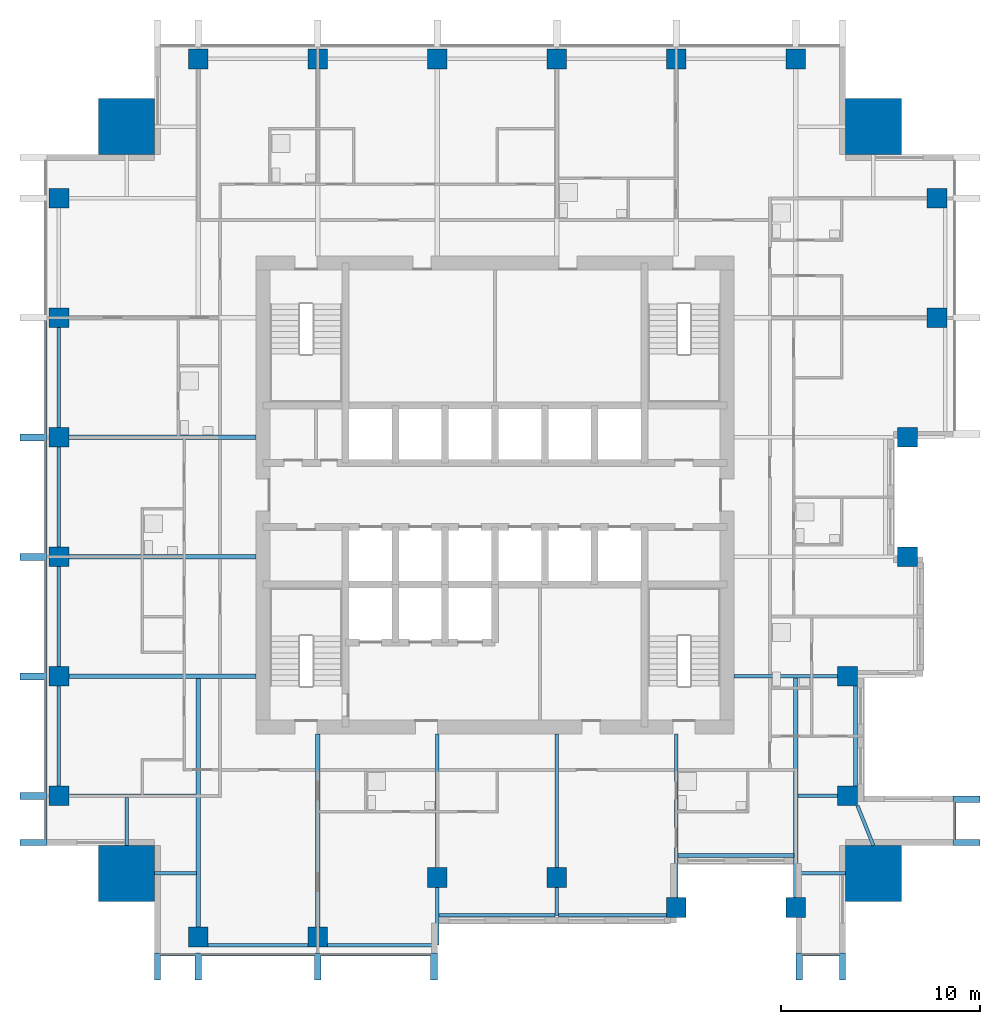
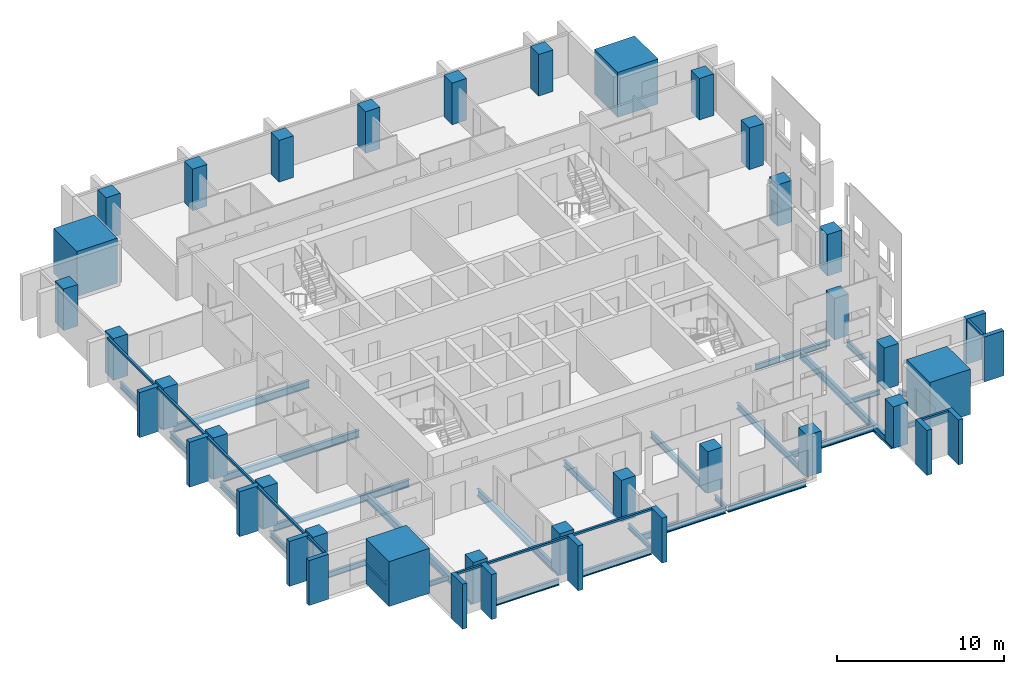
# One storey, part 1 of 11: 28 beams, 28 columns, 23 members, 4 elements without a shape of their own.
"""IFC4 building model written with IfcOpenShell, lengths in metres."""

from ifc_helpers import new_model, si_unit, direction, frame, origin, origin_2d, place, context, subcontext, project, spatial, rectangle, i_section, extrude, material, material_profile, profile_set, type_object, element, aggregate, save


model = new_model("IFC4")

# Units and contexts
model_context = context("Model", 3, precision=1e-05, world=origin(), true_north=direction((0.0, 1.0)))
body_context = subcontext(model_context, "Body", "Model", "MODEL_VIEW")
ifc_project = project(units=[si_unit("LENGTHUNIT", "METRE"), si_unit("AREAUNIT", "SQUARE_METRE"), si_unit("VOLUMEUNIT", "CUBIC_METRE"), si_unit("PLANEANGLEUNIT", "RADIAN"), si_unit("MASSUNIT", "GRAM", prefix="KILO")], contexts=[model_context])

# Site, building, storey
site_placement = place(None, origin())
site = spatial("IfcSite", under=ifc_project, at=site_placement, CompositionType="ELEMENT")
building_placement = place(site_placement, origin())
building = spatial("IfcBuilding", under=site, at=building_placement, Name="Amberfall Residences", CompositionType="ELEMENT")
storey_placement = place(building_placement, frame((0.0, 0.0, 143.800048828125)))
storey = spatial("IfcBuildingStorey", under=building, at=storey_placement, Name="L38", CompositionType="ELEMENT", Elevation=143.800048828125)

# Columns
ifc_material_1 = material(Name="Concrete C60", Category="concrete")
ifc_material_profile_1 = material_profile(ifc_material_1, rectangle(XDim=1.0, YDim=1.0, at=origin_2d()), Name="Column 1000 x 1000 C60")
ifc_profile_set_1 = profile_set([ifc_material_profile_1], Name="Concrete C60")
column_type_1 = type_object("IfcColumnType", Name="Column 1000 x 1000 C60", PredefinedType="COLUMN", material=ifc_profile_set_1)
for number, where, z_axis, x_axis, name in (
    (1, (59.60009765625, 23.300048828125, 0.0), (0.0, 0.0, 1.0), (1.0, 0.0, 0.0), "Column C3 L38 S1"),
    (2, (65.60009765625, 23.300048828125, 0.0), (0.0, 0.0, 1.0), (1.0, 0.0, 0.0), "Column C3 L38 S2"),
    (3, (71.60009765625, 26.300048828125, 0.0), (0.0, 0.0, 1.0), (1.0, 0.0, 0.0), "Column C3 L38 S3"),
    (4, (77.60009765625, 26.300048828125, 0.0), (0.0, 0.0, 1.0), (1.0, 0.0, 0.0), "Column C3 L38 S4"),
    (5, (83.60009765625, 24.800048828125, 0.0), (0.0, 0.0, 1.0), (1.0, 0.0, 0.0), "Column C3 L38 S5"),
    (6, (89.60009765625, 24.800048828125, 0.0), (0.0, 0.0, 1.0), (1.0, 0.0, 0.0), "Column C3 L38 S6"),
    (7, (92.199951171875, 30.39990234375, 0.0), (0.0, 0.0, 1.0), (1.0, 0.0, 0.0), "Column C3 L38 E1"),
    (8, (92.199951171875, 36.39990234375, 0.0), (0.0, 0.0, 1.0), (1.0, 0.0, 0.0), "Column C3 L38 E2"),
    (9, (95.199951171875, 42.39990234375, 0.0), (0.0, 0.0, 1.0), (1.0, 0.0, 0.0), "Column C3 L38 E3"),
    (10, (95.199951171875, 48.39990234375, 0.0), (0.0, 0.0, 1.0), (1.0, 0.0, 0.0), "Column C3 L38 E4"),
    (11, (96.699951171875, 54.39990234375, 0.0), (0.0, 0.0, 1.0), (1.0, 0.0, 0.0), "Column C3 L38 E5"),
    (12, (96.699951171875, 60.39990234375, 0.0), (0.0, 0.0, 1.0), (1.0, 0.0, 0.0), "Column C3 L38 E6"),
    (13, (59.60009765625, 67.39990234375, 0.0), (0.0, 0.0, 1.0), (1.0, 0.0, 0.0), "Column C3 L38 N1"),
    (14, (65.60009765625, 67.39990234375, 0.0), (0.0, 0.0, 1.0), (1.0, 0.0, 0.0), "Column C3 L38 N2"),
    (15, (71.60009765625, 67.39990234375, 0.0), (0.0, 0.0, 1.0), (1.0, 0.0, 0.0), "Column C3 L38 N3"),
    (16, (77.60009765625, 67.39990234375, 0.0), (0.0, 0.0, 1.0), (1.0, 0.0, 0.0), "Column C3 L38 N4"),
    (17, (83.60009765625, 67.39990234375, 0.0), (0.0, 0.0, 1.0), (1.0, 0.0, 0.0), "Column C3 L38 N5"),
    (18, (89.60009765625, 67.39990234375, 0.0), (0.0, 0.0, 1.0), (1.0, 0.0, 0.0), "Column C3 L38 N6"),
    (19, (52.60009765625, 30.39990234375, 0.0), (0.0, 0.0, 1.0), (1.0, 0.0, 0.0), "Column C3 L38 W1"),
    (20, (52.60009765625, 36.39990234375, 0.0), (0.0, 0.0, 1.0), (1.0, 0.0, 0.0), "Column C3 L38 W2"),
    (21, (52.60009765625, 42.39990234375, 0.0), (0.0, 0.0, 1.0), (1.0, 0.0, 0.0), "Column C3 L38 W3"),
    (22, (52.60009765625, 48.39990234375, 0.0), (0.0, 0.0, 1.0), (1.0, 0.0, 0.0), "Column C3 L38 W4"),
    (23, (52.60009765625, 54.39990234375, 0.0), (0.0, 0.0, 1.0), (1.0, 0.0, 0.0), "Column C3 L38 W5"),
    (24, (52.60009765625, 60.39990234375, 0.0), (0.0, 0.0, 1.0), (1.0, 0.0, 0.0), "Column C3 L38 W6"),
):
    element("IfcColumn", number, at=place(storey_placement, frame(where, z_axis=z_axis, x_axis=x_axis)), inside=storey, type_object=column_type_1, Name=name, PredefinedType="COLUMN", context=body_context, shape_type="SweptSolid", body=[
        extrude(rectangle(XDim=1.0, YDim=1.0, at=origin_2d()), origin(), (0.0, 0.0, 1.0), 3.050048828125),
    ])
ifc_material_profile_2 = material_profile(ifc_material_1, rectangle(XDim=2.800048828125, YDim=2.800048828125, at=origin_2d()), Name="Mega column 2800 x 2800 C60")
ifc_profile_set_2 = profile_set([ifc_material_profile_2], Name="Concrete C60")
column_type_2 = type_object("IfcColumnType", Name="Mega column 2800 x 2800 C60", PredefinedType="COLUMN", material=ifc_profile_set_2)
for number, where, z_axis, x_axis, name in (
    (25, (56.0, 26.5, 0.0), (0.0, 0.0, 1.0), (1.0, 0.0, 0.0), "Mega column MC5 L38 SW"),
    (26, (93.5, 26.5, 0.0), (0.0, 0.0, 1.0), (1.0, 0.0, 0.0), "Mega column MC5 L38 SE"),
    (27, (93.5, 64.0, 0.0), (0.0, 0.0, 1.0), (1.0, 0.0, 0.0), "Mega column MC5 L38 NE"),
    (28, (56.0, 64.0, 0.0), (0.0, 0.0, 1.0), (1.0, 0.0, 0.0), "Mega column MC5 L38 NW"),
):
    element("IfcColumn", number, at=place(storey_placement, frame(where, z_axis=z_axis, x_axis=x_axis)), inside=storey, type_object=column_type_2, Name=name, PredefinedType="COLUMN", context=body_context, shape_type="SweptSolid", body=[
        extrude(rectangle(XDim=2.800048828125, YDim=2.800048828125, at=origin_2d()), origin(), (0.0, 0.0, 1.0), 3.300048828125),
    ])

# Curtain wall, members
ifc_material_2 = material(Name="Bronze anodised aluminium and glass", Category="aluminium")
curtain_wall_type = type_object("IfcCurtainWallType", Name="Curtain wall CW1 tower unit", PredefinedType="USERDEFINED", material=ifc_material_2)
curtain_wall_1_placement = place(storey_placement, origin())
curtain_wall_1 = element("IfcCurtainWall", 29, at=curtain_wall_1_placement, inside=storey, type_object=curtain_wall_type, Name="Curtain wall L38 S S1", ObjectType="UNITISED CURTAIN WALL", PredefinedType="USERDEFINED")
ifc_material_3 = material(Name="Bronze anodised aluminium", Category="aluminium")
ifc_material_profile_3 = material_profile(ifc_material_3, rectangle(XDim=0.14990234375, YDim=0.14990234375, at=origin_2d()), Name="CW1 transom 150 x 150 bronze")
ifc_profile_set_3 = profile_set([ifc_material_profile_3], Name="Bronze anodised aluminium")
member_type_1 = type_object("IfcMemberType", Name="CW1 transom 150 x 150 bronze", PredefinedType="USERDEFINED", material=ifc_profile_set_3)
member_1_placement = place(storey_placement, frame((57.699951171875, 22.425048828125, 2.974853515625), z_axis=(1.0, 0.0, 0.0), x_axis=(0.0, 1.0, 0.0)))
member_1 = element("IfcMember", 30, at=member_1_placement, type_object=member_type_1, Name="CW1 transom 1.1", ObjectType="TRANSOM", PredefinedType="USERDEFINED", context=body_context, shape_type="SweptSolid", body=[
    extrude(rectangle(XDim=0.14990234375, YDim=0.14990234375, at=origin_2d()), origin(), (0.0, 0.0, 1.0), 1.72509765625),
])
member_2_placement = place(storey_placement, frame((59.77490234375, 22.425048828125, 2.974853515625), z_axis=(1.0, 0.0, 0.0), x_axis=(0.0, 1.0, 0.0)))
member_2 = element("IfcMember", 31, at=member_2_placement, type_object=member_type_1, Name="CW1 transom 2.1", ObjectType="TRANSOM", PredefinedType="USERDEFINED", context=body_context, shape_type="SweptSolid", body=[
    extrude(rectangle(XDim=0.14990234375, YDim=0.14990234375, at=origin_2d()), origin(), (0.0, 0.0, 1.0), 5.650146484375),
])
member_3_placement = place(storey_placement, frame((65.77490234375, 22.425048828125, 2.974853515625), z_axis=(1.0, 0.0, 0.0), x_axis=(0.0, 1.0, 0.0)))
member_3 = element("IfcMember", 32, at=member_3_placement, type_object=member_type_1, Name="CW1 transom 3.1", ObjectType="TRANSOM", PredefinedType="USERDEFINED", context=body_context, shape_type="SweptSolid", body=[
    extrude(rectangle(XDim=0.14990234375, YDim=0.14990234375, at=origin_2d()), origin(), (0.0, 0.0, 1.0), 5.47509765625),
])

# Curtain wall, member
curtain_wall_2_placement = place(storey_placement, origin())
curtain_wall_2 = element("IfcCurtainWall", 33, at=curtain_wall_2_placement, inside=storey, type_object=curtain_wall_type, Name="Curtain wall L38 S S8", ObjectType="UNITISED CURTAIN WALL", PredefinedType="USERDEFINED")
member_4_placement = place(storey_placement, frame((89.949951171875, 22.425048828125, 2.974853515625), z_axis=(1.0, 0.0, 0.0), x_axis=(0.0, 1.0, 0.0)))
member_4 = element("IfcMember", 34, at=member_4_placement, type_object=member_type_1, Name="CW1 transom 1.1", ObjectType="TRANSOM", PredefinedType="USERDEFINED", context=body_context, shape_type="SweptSolid", body=[
    extrude(rectangle(XDim=0.14990234375, YDim=0.14990234375, at=origin_2d()), origin(), (0.0, 0.0, 1.0), 1.85009765625),
])

curtain_wall_3_placement = place(storey_placement, origin())
curtain_wall_3 = element("IfcCurtainWall", 35, at=curtain_wall_3_placement, inside=storey, type_object=curtain_wall_type, Name="Curtain wall L38 E E1", ObjectType="UNITISED CURTAIN WALL", PredefinedType="USERDEFINED")
member_5_placement = place(storey_placement, frame((97.574951171875, 28.199951171875, 2.974853515625), z_axis=(0.0, 1.0, 0.0), x_axis=(-1.0, 0.0, 0.0)))
member_5 = element("IfcMember", 36, at=member_5_placement, type_object=member_type_1, Name="CW1 transom 1.1", ObjectType="TRANSOM", PredefinedType="USERDEFINED", context=body_context, shape_type="SweptSolid", body=[
    extrude(rectangle(XDim=0.14990234375, YDim=0.14990234375, at=origin_2d()), origin(), (0.0, 0.0, 1.0), 1.85009765625),
])

# Curtain wall, members
curtain_wall_4_placement = place(storey_placement, origin())
curtain_wall_4 = element("IfcCurtainWall", 37, at=curtain_wall_4_placement, inside=storey, type_object=curtain_wall_type, Name="Curtain wall L38 W W1", ObjectType="UNITISED CURTAIN WALL", PredefinedType="USERDEFINED")
member_6_placement = place(storey_placement, frame((51.925048828125, 54.22509765625, 2.974853515625), z_axis=(0.0, -1.0, 0.0), x_axis=(1.0, 0.0, 0.0)))
member_6 = element("IfcMember", 38, at=member_6_placement, type_object=member_type_1, Name="CW1 transom 3.1", ObjectType="TRANSOM", PredefinedType="USERDEFINED", context=body_context, shape_type="SweptSolid", body=[
    extrude(rectangle(XDim=0.14990234375, YDim=0.14990234375, at=origin_2d()), origin(), (0.0, 0.0, 1.0), 5.650146484375),
])
member_7_placement = place(storey_placement, frame((51.925048828125, 48.22509765625, 2.974853515625), z_axis=(0.0, -1.0, 0.0), x_axis=(1.0, 0.0, 0.0)))
member_7 = element("IfcMember", 39, at=member_7_placement, type_object=member_type_1, Name="CW1 transom 4.1", ObjectType="TRANSOM", PredefinedType="USERDEFINED", context=body_context, shape_type="SweptSolid", body=[
    extrude(rectangle(XDim=0.14990234375, YDim=0.14990234375, at=origin_2d()), origin(), (0.0, 0.0, 1.0), 5.650146484375),
])
member_8_placement = place(storey_placement, frame((51.925048828125, 42.22509765625, 2.974853515625), z_axis=(0.0, -1.0, 0.0), x_axis=(1.0, 0.0, 0.0)))
member_8 = element("IfcMember", 40, at=member_8_placement, type_object=member_type_1, Name="CW1 transom 5.1", ObjectType="TRANSOM", PredefinedType="USERDEFINED", context=body_context, shape_type="SweptSolid", body=[
    extrude(rectangle(XDim=0.14990234375, YDim=0.14990234375, at=origin_2d()), origin(), (0.0, 0.0, 1.0), 5.650146484375),
])
member_9_placement = place(storey_placement, frame((51.925048828125, 36.22509765625, 2.974853515625), z_axis=(0.0, -1.0, 0.0), x_axis=(1.0, 0.0, 0.0)))
member_9 = element("IfcMember", 41, at=member_9_placement, type_object=member_type_1, Name="CW1 transom 6.1", ObjectType="TRANSOM", PredefinedType="USERDEFINED", context=body_context, shape_type="SweptSolid", body=[
    extrude(rectangle(XDim=0.14990234375, YDim=0.14990234375, at=origin_2d()), origin(), (0.0, 0.0, 1.0), 5.650146484375),
])
member_10_placement = place(storey_placement, frame((51.925048828125, 30.22509765625, 2.974853515625), z_axis=(0.0, -1.0, 0.0), x_axis=(1.0, 0.0, 0.0)))
member_10 = element("IfcMember", 42, at=member_10_placement, type_object=member_type_1, Name="CW1 transom 7.1", ObjectType="TRANSOM", PredefinedType="USERDEFINED", context=body_context, shape_type="SweptSolid", body=[
    extrude(rectangle(XDim=0.14990234375, YDim=0.14990234375, at=origin_2d()), origin(), (0.0, 0.0, 1.0), 2.025146484375),
])

# Beams
ifc_material_4 = material(Name="Steel S355", Category="steel")
ifc_material_profile_4 = material_profile(ifc_material_4, i_section(OverallWidth=0.171142578125, OverallDepth=0.351318359375, WebThickness=0.007080078125, FlangeThickness=0.009765625, FilletRadius=0.01025390625, at=origin_2d()), Name="UB 356x171x45")
ifc_profile_set_4 = profile_set([ifc_material_profile_4], Name="Steel S355")
beam_type_1 = type_object("IfcBeamType", Name="Cantilever girder UB 356x171x45", PredefinedType="BEAM", material=ifc_profile_set_4)
beam_1_placement = place(storey_placement, frame((71.60009765625, 25.800048828125, -0.42578125), z_axis=(0.0, -1.0, 0.0), x_axis=(1.0, 0.0, 0.0)))
element("IfcBeam", 43, at=beam_1_placement, inside=storey, type_object=beam_type_1, Name="Cantilever girder B8 L38 06", PredefinedType="BEAM", context=body_context, shape_type="SweptSolid", body=[
    extrude(i_section(OverallWidth=0.171142578125, OverallDepth=0.351318359375, WebThickness=0.007080078125, FlangeThickness=0.009765625, FilletRadius=0.01025390625, at=origin_2d()), origin(), (0.0, 0.0, 1.0), 2.900146484375),
])
beam_2_placement = place(storey_placement, frame((77.60009765625, 25.800048828125, -0.42578125), z_axis=(0.0, -1.0, 0.0), x_axis=(1.0, 0.0, 0.0)))
element("IfcBeam", 44, at=beam_2_placement, inside=storey, type_object=beam_type_1, Name="Cantilever girder B8 L38 07", PredefinedType="BEAM", context=body_context, shape_type="SweptSolid", body=[
    extrude(i_section(OverallWidth=0.171142578125, OverallDepth=0.351318359375, WebThickness=0.007080078125, FlangeThickness=0.009765625, FilletRadius=0.01025390625, at=origin_2d()), origin(), (0.0, 0.0, 1.0), 1.400146484375),
])

# Member
ifc_material_profile_5 = material_profile(ifc_material_3, rectangle(XDim=1.35009765625, YDim=0.300048828125, at=origin_2d()), Name="Corner fin 300 x 1350 bronze")
ifc_profile_set_5 = profile_set([ifc_material_profile_5], Name="Bronze anodised aluminium")
member_type_2 = type_object("IfcMemberType", Name="Corner fin 300 x 1350 bronze", PredefinedType="MULLION", material=ifc_profile_set_5)
member_11_placement = place(storey_placement, frame((57.550048828125, 21.824951171875, -0.25), z_axis=(0.0, 0.0, 1.0), x_axis=(0.0, 1.0, 0.0)))
member_11 = element("IfcMember", 45, at=member_11_placement, type_object=member_type_2, Name="CW FIN 1", PredefinedType="MULLION", context=body_context, shape_type="SweptSolid", body=[
    extrude(rectangle(XDim=1.35009765625, YDim=0.300048828125, at=origin_2d()), origin(), (0.0, 0.0, 1.0), 3.300048828125),
])

member_12_placement = place(storey_placement, frame((91.949951171875, 21.824951171875, -0.25), z_axis=(0.0, 0.0, 1.0), x_axis=(0.0, 1.0, 0.0)))
member_12 = element("IfcMember", 46, at=member_12_placement, type_object=member_type_2, Name="CW FIN 2", PredefinedType="MULLION", context=body_context, shape_type="SweptSolid", body=[
    extrude(rectangle(XDim=1.35009765625, YDim=0.300048828125, at=origin_2d()), origin(), (0.0, 0.0, 1.0), 3.300048828125),
])

member_13_placement = place(storey_placement, frame((98.175048828125, 28.050048828125, -0.25), z_axis=(0.0, 0.0, 1.0), x_axis=(-1.0, 0.0, 0.0)))
member_13 = element("IfcMember", 47, at=member_13_placement, type_object=member_type_2, Name="CW FIN 1", PredefinedType="MULLION", context=body_context, shape_type="SweptSolid", body=[
    extrude(rectangle(XDim=1.35009765625, YDim=0.300048828125, at=origin_2d()), origin(), (0.0, 0.0, 1.0), 3.300048828125),
])

member_14_placement = place(storey_placement, frame((51.324951171875, 28.050048828125, -0.25), z_axis=(0.0, 0.0, 1.0), x_axis=(1.0, 0.0, 0.0)))
member_14 = element("IfcMember", 48, at=member_14_placement, type_object=member_type_2, Name="CW FIN 8", PredefinedType="MULLION", context=body_context, shape_type="SweptSolid", body=[
    extrude(rectangle(XDim=1.35009765625, YDim=0.300048828125, at=origin_2d()), origin(), (0.0, 0.0, 1.0), 3.300048828125),
])

# Beams
ifc_material_profile_6 = material_profile(ifc_material_4, i_section(OverallWidth=0.18994140625, OverallDepth=0.453369140625, WebThickness=0.008544921875, FlangeThickness=0.0126953125, FilletRadius=0.01025390625, at=origin_2d()), Name="UB 457x191x67")
ifc_profile_set_6 = profile_set([ifc_material_profile_6], Name="Steel S355")
beam_type_2 = type_object("IfcBeamType", Name="Edge beam UB 457x191x67", PredefinedType="SPANDREL", material=ifc_profile_set_6)
beam_3_placement = place(storey_placement, frame((60.10009765625, 22.89990234375, -0.476806640625), z_axis=(1.0, 0.0, 0.0), x_axis=(0.0, 1.0, 0.0)))
element("IfcBeam", 49, at=beam_3_placement, inside=storey, type_object=beam_type_2, Name="Edge beam B1 L38 01", PredefinedType="SPANDREL", context=body_context, shape_type="SweptSolid", body=[
    extrude(i_section(OverallWidth=0.18994140625, OverallDepth=0.453369140625, WebThickness=0.008544921875, FlangeThickness=0.0126953125, FilletRadius=0.01025390625, at=origin_2d()), origin(), (0.0, 0.0, 1.0), 5.0),
])
beam_4_placement = place(storey_placement, frame((66.10009765625, 22.89990234375, -0.476806640625), z_axis=(1.0, 0.0, 0.0), x_axis=(0.0, 1.0, 0.0)))
element("IfcBeam", 50, at=beam_4_placement, inside=storey, type_object=beam_type_2, Name="Edge beam B1 L38 02", PredefinedType="SPANDREL", context=body_context, shape_type="SweptSolid", body=[
    extrude(i_section(OverallWidth=0.18994140625, OverallDepth=0.453369140625, WebThickness=0.008544921875, FlangeThickness=0.0126953125, FilletRadius=0.01025390625, at=origin_2d()), origin(), (0.0, 0.0, 1.0), 5.419921875),
])
beam_5_placement = place(storey_placement, frame((71.679931640625, 24.39990234375, -0.476806640625), z_axis=(1.0, 0.0, 0.0), x_axis=(0.0, 1.0, 0.0)))
element("IfcBeam", 51, at=beam_5_placement, inside=storey, type_object=beam_type_2, Name="Edge beam B1 L38 03", PredefinedType="SPANDREL", context=body_context, shape_type="SweptSolid", body=[
    extrude(i_section(OverallWidth=0.18994140625, OverallDepth=0.453369140625, WebThickness=0.008544921875, FlangeThickness=0.0126953125, FilletRadius=0.01025390625, at=origin_2d()), origin(), (0.0, 0.0, 1.0), 5.840087890625),
])
beam_6_placement = place(storey_placement, frame((77.679931640625, 24.39990234375, -0.476806640625), z_axis=(1.0, 0.0, 0.0), x_axis=(0.0, 1.0, 0.0)))
element("IfcBeam", 52, at=beam_6_placement, inside=storey, type_object=beam_type_2, Name="Edge beam B1 L38 04", PredefinedType="SPANDREL", context=body_context, shape_type="SweptSolid", body=[
    extrude(i_section(OverallWidth=0.18994140625, OverallDepth=0.453369140625, WebThickness=0.008544921875, FlangeThickness=0.0126953125, FilletRadius=0.01025390625, at=origin_2d()), origin(), (0.0, 0.0, 1.0), 5.420166015625),
])
beam_7_placement = place(storey_placement, frame((83.679931640625, 27.39990234375, -0.476806640625), z_axis=(1.0, 0.0, 0.0), x_axis=(0.0, 1.0, 0.0)))
element("IfcBeam", 53, at=beam_7_placement, inside=storey, type_object=beam_type_2, Name="Edge beam B1 L38 05", PredefinedType="SPANDREL", context=body_context, shape_type="SweptSolid", body=[
    extrude(i_section(OverallWidth=0.18994140625, OverallDepth=0.453369140625, WebThickness=0.008544921875, FlangeThickness=0.0126953125, FilletRadius=0.01025390625, at=origin_2d()), origin(), (0.0, 0.0, 1.0), 5.840087890625),
])
for number, where, z_axis, x_axis, name in (
    (54, (92.60009765625, 30.89990234375, -0.476806640625), (0.0, 1.0, 0.0), (-1.0, 0.0, 0.0), "Edge beam B1 L38 14"),
    (55, (52.60009765625, 30.89990234375, -0.476806640625), (0.0, 1.0, 0.0), (-1.0, 0.0, 0.0), "Edge beam B1 L38 38"),
    (56, (52.60009765625, 36.89990234375, -0.476806640625), (0.0, 1.0, 0.0), (-1.0, 0.0, 0.0), "Edge beam B1 L38 39"),
    (57, (52.60009765625, 42.89990234375, -0.476806640625), (0.0, 1.0, 0.0), (-1.0, 0.0, 0.0), "Edge beam B1 L38 40"),
    (58, (52.60009765625, 48.89990234375, -0.476806640625), (0.0, 1.0, 0.0), (-1.0, 0.0, 0.0), "Edge beam B1 L38 41"),
):
    element("IfcBeam", number, at=place(storey_placement, frame(where, z_axis=z_axis, x_axis=x_axis)), inside=storey, type_object=beam_type_2, Name=name, PredefinedType="SPANDREL", context=body_context, shape_type="SweptSolid", body=[
        extrude(i_section(OverallWidth=0.18994140625, OverallDepth=0.453369140625, WebThickness=0.008544921875, FlangeThickness=0.0126953125, FilletRadius=0.01025390625, at=origin_2d()), origin(), (0.0, 0.0, 1.0), 5.0),
    ])

# Member
ifc_material_profile_7 = material_profile(ifc_material_3, rectangle(XDim=1.35009765625, YDim=0.35009765625, at=origin_2d()), Name="Fin 350 x 1350 bronze")
ifc_profile_set_7 = profile_set([ifc_material_profile_7], Name="Bronze anodised aluminium")
member_type_3 = type_object("IfcMemberType", Name="Fin 350 x 1350 bronze", PredefinedType="MULLION", material=ifc_profile_set_7)
member_15_placement = place(storey_placement, frame((59.60009765625, 21.824951171875, -0.25), z_axis=(0.0, 0.0, 1.0), x_axis=(0.0, 1.0, 0.0)))
member_15 = element("IfcMember", 59, at=member_15_placement, type_object=member_type_3, Name="CW FIN 2", PredefinedType="MULLION", context=body_context, shape_type="SweptSolid", body=[
    extrude(rectangle(XDim=1.35009765625, YDim=0.35009765625, at=origin_2d()), origin(), (0.0, 0.0, 1.0), 3.300048828125),
])

member_16_placement = place(storey_placement, frame((65.60009765625, 21.824951171875, -0.25), z_axis=(0.0, 0.0, 1.0), x_axis=(0.0, 1.0, 0.0)))
member_16 = element("IfcMember", 60, at=member_16_placement, type_object=member_type_3, Name="CW FIN 3", PredefinedType="MULLION", context=body_context, shape_type="SweptSolid", body=[
    extrude(rectangle(XDim=1.35009765625, YDim=0.35009765625, at=origin_2d()), origin(), (0.0, 0.0, 1.0), 3.300048828125),
])

member_17_placement = place(storey_placement, frame((71.425048828125, 21.824951171875, -0.25), z_axis=(0.0, 0.0, 1.0), x_axis=(0.0, 1.0, 0.0)))
member_17 = element("IfcMember", 61, at=member_17_placement, type_object=member_type_3, Name="CW FIN 4", PredefinedType="MULLION", context=body_context, shape_type="SweptSolid", body=[
    extrude(rectangle(XDim=1.35009765625, YDim=0.35009765625, at=origin_2d()), origin(), (0.0, 0.0, 1.0), 3.300048828125),
])

aggregate(curtain_wall_1, [member_11, member_15, member_16, member_17, member_1, member_2, member_3])

member_18_placement = place(storey_placement, frame((89.77490234375, 21.824951171875, -0.25), z_axis=(0.0, 0.0, 1.0), x_axis=(0.0, 1.0, 0.0)))
member_18 = element("IfcMember", 62, at=member_18_placement, type_object=member_type_3, Name="CW FIN 1", PredefinedType="MULLION", context=body_context, shape_type="SweptSolid", body=[
    extrude(rectangle(XDim=1.35009765625, YDim=0.35009765625, at=origin_2d()), origin(), (0.0, 0.0, 1.0), 3.300048828125),
])

aggregate(curtain_wall_2, [member_18, member_12, member_4])

member_19_placement = place(storey_placement, frame((98.175048828125, 30.22509765625, -0.25), z_axis=(0.0, 0.0, 1.0), x_axis=(-1.0, 0.0, 0.0)))
member_19 = element("IfcMember", 63, at=member_19_placement, type_object=member_type_3, Name="CW FIN 2", PredefinedType="MULLION", context=body_context, shape_type="SweptSolid", body=[
    extrude(rectangle(XDim=1.35009765625, YDim=0.35009765625, at=origin_2d()), origin(), (0.0, 0.0, 1.0), 3.300048828125),
])

aggregate(curtain_wall_3, [member_13, member_19, member_5])

member_20_placement = place(storey_placement, frame((51.324951171875, 48.39990234375, -0.25), z_axis=(0.0, 0.0, 1.0), x_axis=(1.0, 0.0, 0.0)))
member_20 = element("IfcMember", 64, at=member_20_placement, type_object=member_type_3, Name="CW FIN 4", PredefinedType="MULLION", context=body_context, shape_type="SweptSolid", body=[
    extrude(rectangle(XDim=1.35009765625, YDim=0.35009765625, at=origin_2d()), origin(), (0.0, 0.0, 1.0), 3.300048828125),
])

member_21_placement = place(storey_placement, frame((51.324951171875, 42.39990234375, -0.25), z_axis=(0.0, 0.0, 1.0), x_axis=(1.0, 0.0, 0.0)))
member_21 = element("IfcMember", 65, at=member_21_placement, type_object=member_type_3, Name="CW FIN 5", PredefinedType="MULLION", context=body_context, shape_type="SweptSolid", body=[
    extrude(rectangle(XDim=1.35009765625, YDim=0.35009765625, at=origin_2d()), origin(), (0.0, 0.0, 1.0), 3.300048828125),
])

member_22_placement = place(storey_placement, frame((51.324951171875, 36.39990234375, -0.25), z_axis=(0.0, 0.0, 1.0), x_axis=(1.0, 0.0, 0.0)))
member_22 = element("IfcMember", 66, at=member_22_placement, type_object=member_type_3, Name="CW FIN 6", PredefinedType="MULLION", context=body_context, shape_type="SweptSolid", body=[
    extrude(rectangle(XDim=1.35009765625, YDim=0.35009765625, at=origin_2d()), origin(), (0.0, 0.0, 1.0), 3.300048828125),
])

member_23_placement = place(storey_placement, frame((51.324951171875, 30.39990234375, -0.25), z_axis=(0.0, 0.0, 1.0), x_axis=(1.0, 0.0, 0.0)))
member_23 = element("IfcMember", 67, at=member_23_placement, type_object=member_type_3, Name="CW FIN 7", PredefinedType="MULLION", context=body_context, shape_type="SweptSolid", body=[
    extrude(rectangle(XDim=1.35009765625, YDim=0.35009765625, at=origin_2d()), origin(), (0.0, 0.0, 1.0), 3.300048828125),
])

aggregate(curtain_wall_4, [member_20, member_21, member_22, member_23, member_14, member_6, member_7, member_8, member_9, member_10])

# Beams
ifc_material_profile_8 = material_profile(ifc_material_4, i_section(OverallWidth=0.171142578125, OverallDepth=0.351318359375, WebThickness=0.007080078125, FlangeThickness=0.009765625, FilletRadius=0.01025390625, at=origin_2d()), Name="UB 356x171x45")
ifc_profile_set_8 = profile_set([ifc_material_profile_8], Name="Steel S355")
beam_type_3 = type_object("IfcBeamType", Name="Floor girder UB 356x171x45", PredefinedType="BEAM", material=ifc_profile_set_8)
beam_8_placement = place(storey_placement, frame((91.699951171875, 30.39990234375, -0.42578125), z_axis=(-1.0, 0.0, 0.0), x_axis=(0.0, -1.0, 0.0)))
element("IfcBeam", 68, at=beam_8_placement, inside=storey, type_object=beam_type_3, Name="Floor girder B11 L38 21", PredefinedType="BEAM", context=body_context, shape_type="SweptSolid", body=[
    extrude(i_section(OverallWidth=0.171142578125, OverallDepth=0.351318359375, WebThickness=0.007080078125, FlangeThickness=0.009765625, FilletRadius=0.01025390625, at=origin_2d()), origin(), (0.0, 0.0, 1.0), 1.97998046875),
])
ifc_material_profile_9 = material_profile(ifc_material_4, i_section(OverallWidth=0.177734375, OverallDepth=0.402587890625, WebThickness=0.0078125, FlangeThickness=0.010986328125, FilletRadius=0.01025390625, at=origin_2d()), Name="UB 406x178x54")
ifc_profile_set_9 = profile_set([ifc_material_profile_9], Name="Steel S355")
beam_type_4 = type_object("IfcBeamType", Name="Floor girder UB 406x178x54", PredefinedType="BEAM", material=ifc_profile_set_9)
beam_9_placement = place(storey_placement, frame((91.699951171875, 36.39990234375, -0.451416015625), z_axis=(-1.0, 0.0, 0.0), x_axis=(0.0, -1.0, 0.0)))
element("IfcBeam", 69, at=beam_9_placement, inside=storey, type_object=beam_type_4, Name="Floor girder B4 L38 22", PredefinedType="BEAM", context=body_context, shape_type="SweptSolid", body=[
    extrude(i_section(OverallWidth=0.177734375, OverallDepth=0.402587890625, WebThickness=0.0078125, FlangeThickness=0.010986328125, FilletRadius=0.01025390625, at=origin_2d()), origin(), (0.0, 0.0, 1.0), 5.199951171875),
])
beam_10_placement = place(storey_placement, frame((53.10009765625, 30.39990234375, -0.451416015625), z_axis=(1.0, 0.0, 0.0), x_axis=(0.0, 1.0, 0.0)))
element("IfcBeam", 70, at=beam_10_placement, inside=storey, type_object=beam_type_4, Name="Floor girder B4 L38 43", PredefinedType="BEAM", context=body_context, shape_type="SweptSolid", body=[
    extrude(i_section(OverallWidth=0.177734375, OverallDepth=0.402587890625, WebThickness=0.0078125, FlangeThickness=0.010986328125, FilletRadius=0.01025390625, at=origin_2d()), origin(), (0.0, 0.0, 1.0), 6.3798828125),
])
ifc_material_profile_10 = material_profile(ifc_material_4, i_section(OverallWidth=0.19140625, OverallDepth=0.4599609375, WebThickness=0.010009765625, FlangeThickness=0.01611328125, FilletRadius=0.01025390625, at=origin_2d()), Name="UB 457x191x82")
ifc_profile_set_10 = profile_set([ifc_material_profile_10], Name="Steel S355")
beam_type_5 = type_object("IfcBeamType", Name="Floor girder UB 457x191x82", PredefinedType="BEAM", material=ifc_profile_set_10)
for number, where, z_axis, x_axis, name in (
    (71, (71.60009765625, 26.800048828125, -0.47998046875), (0.0, 1.0, 0.0), (-1.0, 0.0, 0.0), "Floor girder B10 L38 10"),
    (72, (77.60009765625, 26.800048828125, -0.47998046875), (0.0, 1.0, 0.0), (-1.0, 0.0, 0.0), "Floor girder B10 L38 11"),
):
    element("IfcBeam", number, at=place(storey_placement, frame(where, z_axis=z_axis, x_axis=x_axis)), inside=storey, type_object=beam_type_5, Name=name, PredefinedType="BEAM", context=body_context, shape_type="SweptSolid", body=[
        extrude(i_section(OverallWidth=0.19140625, OverallDepth=0.4599609375, WebThickness=0.010009765625, FlangeThickness=0.01611328125, FilletRadius=0.01025390625, at=origin_2d()), origin(), (0.0, 0.0, 1.0), 6.699951171875),
    ])
beam_11_placement = place(storey_placement, frame((83.60009765625, 25.300048828125, -0.47998046875), z_axis=(0.0, 1.0, 0.0), x_axis=(-1.0, 0.0, 0.0)))
element("IfcBeam", 73, at=beam_11_placement, inside=storey, type_object=beam_type_5, Name="Floor girder B10 L38 12", PredefinedType="BEAM", context=body_context, shape_type="SweptSolid", body=[
    extrude(i_section(OverallWidth=0.19140625, OverallDepth=0.4599609375, WebThickness=0.010009765625, FlangeThickness=0.01611328125, FilletRadius=0.01025390625, at=origin_2d()), origin(), (0.0, 0.0, 1.0), 8.199951171875),
])
ifc_material_profile_11 = material_profile(ifc_material_4, i_section(OverallWidth=0.210693359375, OverallDepth=0.53955078125, WebThickness=0.01171875, FlangeThickness=0.018798828125, FilletRadius=0.0126953125, at=origin_2d()), Name="UB 533x210x109")
ifc_profile_set_11 = profile_set([ifc_material_profile_11], Name="Steel S355")
beam_type_6 = type_object("IfcBeamType", Name="Floor girder UB 533x210x109", PredefinedType="BEAM", material=ifc_profile_set_11)
beam_12_placement = place(storey_placement, frame((59.60009765625, 23.800048828125, -0.519775390625), z_axis=(0.0, 1.0, 0.0), x_axis=(-1.0, 0.0, 0.0)))
element("IfcBeam", 74, at=beam_12_placement, inside=storey, type_object=beam_type_6, Name="Floor girder B2 L38 08", PredefinedType="BEAM", context=body_context, shape_type="SweptSolid", body=[
    extrude(i_section(OverallWidth=0.210693359375, OverallDepth=0.53955078125, WebThickness=0.01171875, FlangeThickness=0.018798828125, FilletRadius=0.0126953125, at=origin_2d()), origin(), (0.0, 0.0, 1.0), 12.500244140625),
])
beam_13_placement = place(storey_placement, frame((89.60009765625, 25.300048828125, -0.519775390625), z_axis=(0.0, 1.0, 0.0), x_axis=(-1.0, 0.0, 0.0)))
element("IfcBeam", 75, at=beam_13_placement, inside=storey, type_object=beam_type_6, Name="Floor girder B2 L38 13", PredefinedType="BEAM", context=body_context, shape_type="SweptSolid", body=[
    extrude(i_section(OverallWidth=0.210693359375, OverallDepth=0.53955078125, WebThickness=0.01171875, FlangeThickness=0.018798828125, FilletRadius=0.0126953125, at=origin_2d()), origin(), (0.0, 0.0, 1.0), 11.01611328125),
])
ifc_material_profile_12 = material_profile(ifc_material_4, i_section(OverallWidth=0.209228515625, OverallDepth=0.533203125, WebThickness=0.010009765625, FlangeThickness=0.015625, FilletRadius=0.0126953125, at=origin_2d()), Name="UB 533x210x92")
ifc_profile_set_12 = profile_set([ifc_material_profile_12], Name="Steel S355")
beam_type_7 = type_object("IfcBeamType", Name="Floor girder UB 533x210x92", PredefinedType="BEAM", material=ifc_profile_set_12)
beam_14_placement = place(storey_placement, frame((65.60009765625, 23.800048828125, -0.5166015625), z_axis=(0.0, 1.0, 0.0), x_axis=(-1.0, 0.0, 0.0)))
element("IfcBeam", 76, at=beam_14_placement, inside=storey, type_object=beam_type_7, Name="Floor girder B3 L38 09", PredefinedType="BEAM", context=body_context, shape_type="SweptSolid", body=[
    extrude(i_section(OverallWidth=0.209228515625, OverallDepth=0.533203125, WebThickness=0.010009765625, FlangeThickness=0.015625, FilletRadius=0.0126953125, at=origin_2d()), origin(), (0.0, 0.0, 1.0), 9.699951171875),
])
for number, where, z_axis, x_axis, name in (
    (77, (53.10009765625, 36.39990234375, -0.5166015625), (1.0, 0.0, 0.0), (0.0, 1.0, 0.0), "Floor girder B3 L38 44"),
    (78, (53.10009765625, 42.39990234375, -0.5166015625), (1.0, 0.0, 0.0), (0.0, 1.0, 0.0), "Floor girder B3 L38 45"),
    (79, (53.10009765625, 48.39990234375, -0.5166015625), (1.0, 0.0, 0.0), (0.0, 1.0, 0.0), "Floor girder B3 L38 46"),
):
    element("IfcBeam", number, at=place(storey_placement, frame(where, z_axis=z_axis, x_axis=x_axis)), inside=storey, type_object=beam_type_7, Name=name, PredefinedType="BEAM", context=body_context, shape_type="SweptSolid", body=[
        extrude(i_section(OverallWidth=0.209228515625, OverallDepth=0.533203125, WebThickness=0.010009765625, FlangeThickness=0.015625, FilletRadius=0.0126953125, at=origin_2d()), origin(), (0.0, 0.0, 1.0), 9.39990234375),
    ])
ifc_material_profile_13 = material_profile(ifc_material_4, i_section(OverallWidth=0.171142578125, OverallDepth=0.351318359375, WebThickness=0.007080078125, FlangeThickness=0.009765625, FilletRadius=0.01025390625, at=origin_2d()), Name="UB 356x171x45")
ifc_profile_set_13 = profile_set([ifc_material_profile_13], Name="Steel S355")
beam_type_8 = type_object("IfcBeamType", Name="Link beam UB 356x171x45", PredefinedType="BEAM", material=ifc_profile_set_13)
beam_15_placement = place(storey_placement, frame((57.39990234375, 26.5, -0.42578125), z_axis=(1.0, 0.0, 0.0), x_axis=(0.0, 1.0, 0.0)))
element("IfcBeam", 80, at=beam_15_placement, inside=storey, type_object=beam_type_8, Name="Link beam B7 L38 49", PredefinedType="BEAM", context=body_context, shape_type="SweptSolid", body=[
    extrude(i_section(OverallWidth=0.171142578125, OverallDepth=0.351318359375, WebThickness=0.007080078125, FlangeThickness=0.009765625, FilletRadius=0.01025390625, at=origin_2d()), origin(), (0.0, 0.0, 1.0), 2.104736328125),
])
beam_16_placement = place(storey_placement, frame((56.0, 27.89990234375, -0.42578125), z_axis=(0.0, 1.0, 0.0), x_axis=(-1.0, 0.0, 0.0)))
element("IfcBeam", 81, at=beam_16_placement, inside=storey, type_object=beam_type_8, Name="Link beam B7 L38 50", PredefinedType="BEAM", context=body_context, shape_type="SweptSolid", body=[
    extrude(i_section(OverallWidth=0.171142578125, OverallDepth=0.351318359375, WebThickness=0.007080078125, FlangeThickness=0.009765625, FilletRadius=0.01025390625, at=origin_2d()), origin(), (0.0, 0.0, 1.0), 2.42138671875),
])
beam_17_placement = place(storey_placement, frame((92.10009765625, 26.5, -0.42578125), z_axis=(-1.0, 0.0, 0.0), x_axis=(0.0, -1.0, 0.0)))
element("IfcBeam", 82, at=beam_17_placement, inside=storey, type_object=beam_type_8, Name="Link beam B7 L38 51", PredefinedType="BEAM", context=body_context, shape_type="SweptSolid", body=[
    extrude(i_section(OverallWidth=0.171142578125, OverallDepth=0.351318359375, WebThickness=0.007080078125, FlangeThickness=0.009765625, FilletRadius=0.01025390625, at=origin_2d()), origin(), (0.0, 0.0, 1.0), 2.405517578125),
])
beam_18_placement = place(storey_placement, frame((93.5, 27.89990234375, -0.42578125), z_axis=(-0.37141021739, 0.928468874232, 0.0), x_axis=(-0.928468874232, -0.37141021739, 0.0)))
element("IfcBeam", 83, at=beam_18_placement, inside=storey, type_object=beam_type_8, Name="Link beam B7 L38 52", PredefinedType="BEAM", context=body_context, shape_type="SweptSolid", body=[
    extrude(i_section(OverallWidth=0.171142578125, OverallDepth=0.351318359375, WebThickness=0.007080078125, FlangeThickness=0.009765625, FilletRadius=0.01025390625, at=origin_2d()), origin(), (0.0, 0.0, 1.0), 2.154052734375),
])

save(model, "model.ifc")
